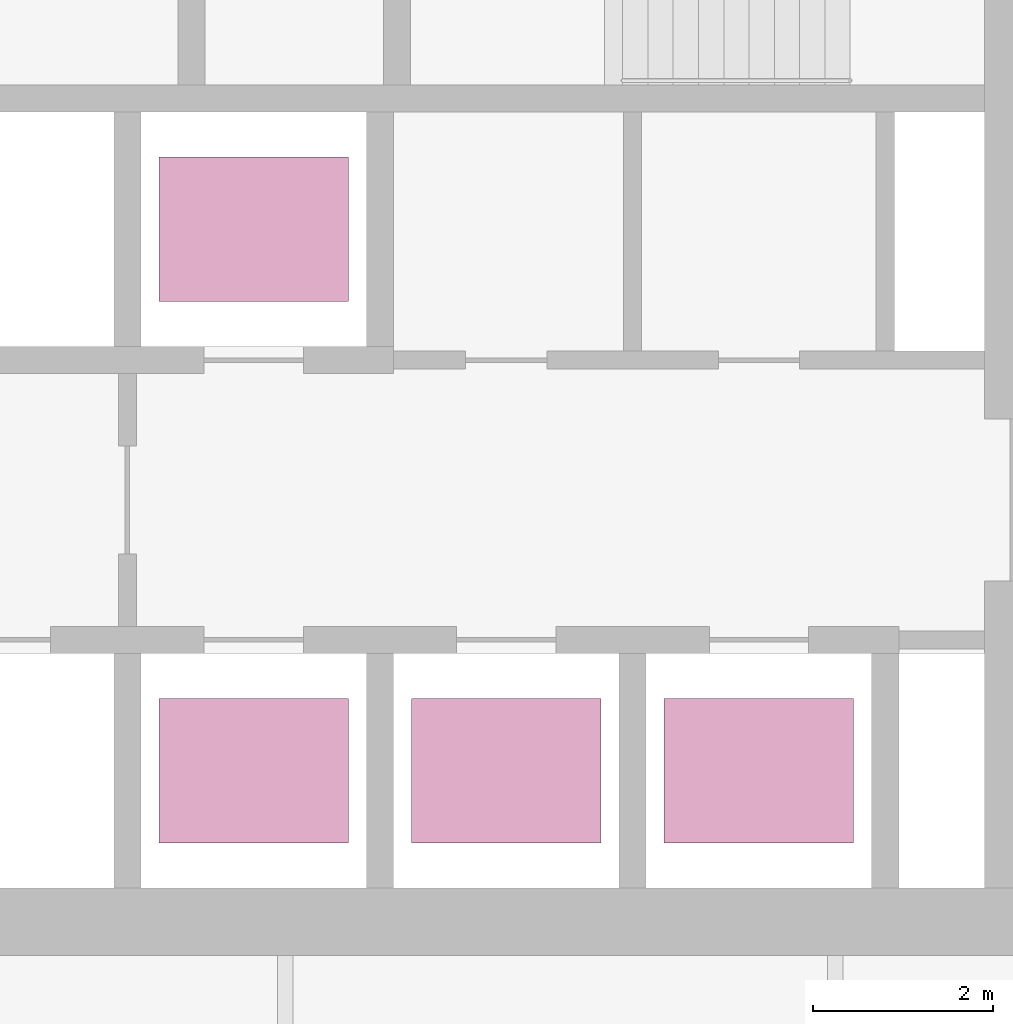
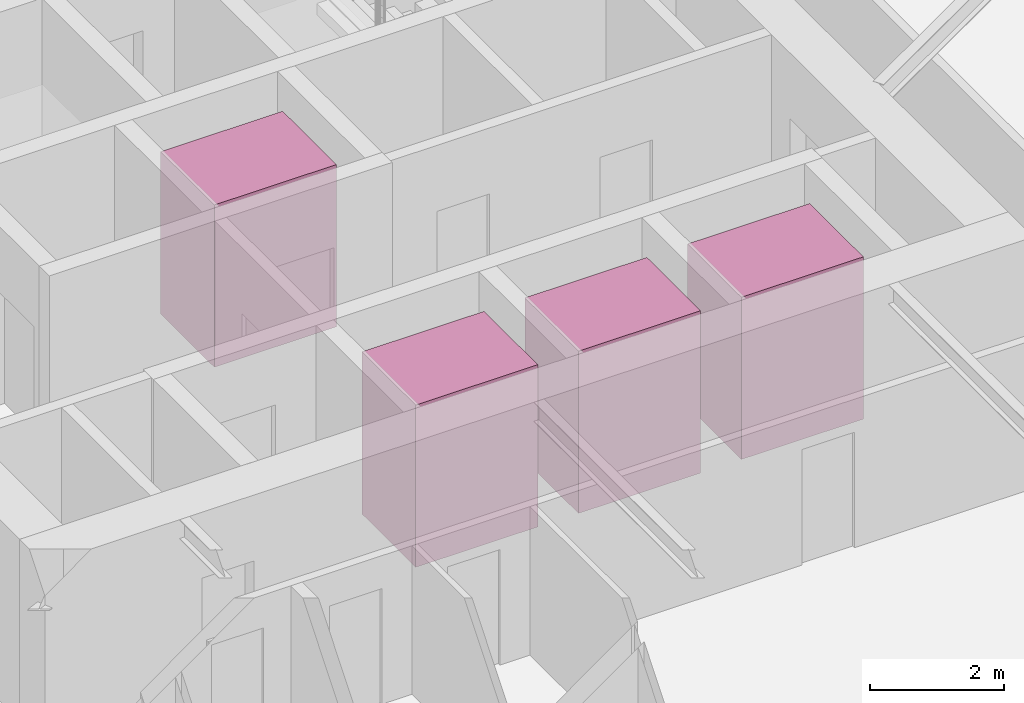
# One storey, part 20 of 20: 4 transport elements.
"""IFC4 building model written with IfcOpenShell, lengths in metres."""

from ifc_helpers import new_model, si_unit, direction, frame, origin, origin_2d, place, context, subcontext, project, spatial, rectangle, extrude, material, type_object, element, save


model = new_model("IFC4")

# Units and contexts
model_context = context("Model", 3, precision=1e-05, world=origin(), true_north=direction((0.0, 1.0)))
body_context = subcontext(model_context, "Body", "Model", "MODEL_VIEW")
ifc_project = project(units=[si_unit("LENGTHUNIT", "METRE"), si_unit("AREAUNIT", "SQUARE_METRE"), si_unit("VOLUMEUNIT", "CUBIC_METRE"), si_unit("PLANEANGLEUNIT", "RADIAN"), si_unit("MASSUNIT", "GRAM", prefix="KILO")], contexts=[model_context])

# Site, building, storey
site_placement = place(None, origin())
site = spatial("IfcSite", under=ifc_project, at=site_placement, CompositionType="ELEMENT")
building_placement = place(site_placement, origin())
building = spatial("IfcBuilding", under=site, at=building_placement, Name="Firuza Gate Tower and Library", CompositionType="ELEMENT")
storey_placement = place(building_placement, frame((0.0, 0.0, 305.60009765625)))
storey = spatial("IfcBuildingStorey", under=building, at=storey_placement, Name="L74", CompositionType="ELEMENT", Elevation=305.60009765625)

# Transport elements
ifc_material = material(Name="Stainless steel and glass", Category="steel")
transport_element_type = type_object("IfcTransportElementType", Name="High-rise lift car 2100x1600", PredefinedType="ELEVATOR", material=ifc_material)
for number, where, z_axis, x_axis, name in (
    (1, (74.64990234375, 70.300048828125, 0.0), (0.0, 0.0, 1.0), (1.0, 0.0, 0.0), "High-rise lift HR1"),
    (2, (77.449951171875, 70.300048828125, 0.0), (0.0, 0.0, 1.0), (1.0, 0.0, 0.0), "High-rise lift HR2"),
    (3, (80.25, 70.300048828125, 0.0), (0.0, 0.0, 1.0), (1.0, 0.0, 0.0), "High-rise lift HR3"),
    (4, (74.64990234375, 76.300048828125, 0.0), (0.0, 0.0, 1.0), (1.0, 0.0, 0.0), "High-rise lift HR4"),
):
    element("IfcTransportElement", number, at=place(storey_placement, frame(where, z_axis=z_axis, x_axis=x_axis)), inside=storey, type_object=transport_element_type, Name=name, PredefinedType="ELEVATOR", context=body_context, shape_type="SweptSolid", body=[
        extrude(rectangle(XDim=2.10009765625, YDim=1.60009765625, at=origin_2d()), origin(), (0.0, 0.0, 1.0), 2.949951171875),
    ])

save(model, "model.ifc")
